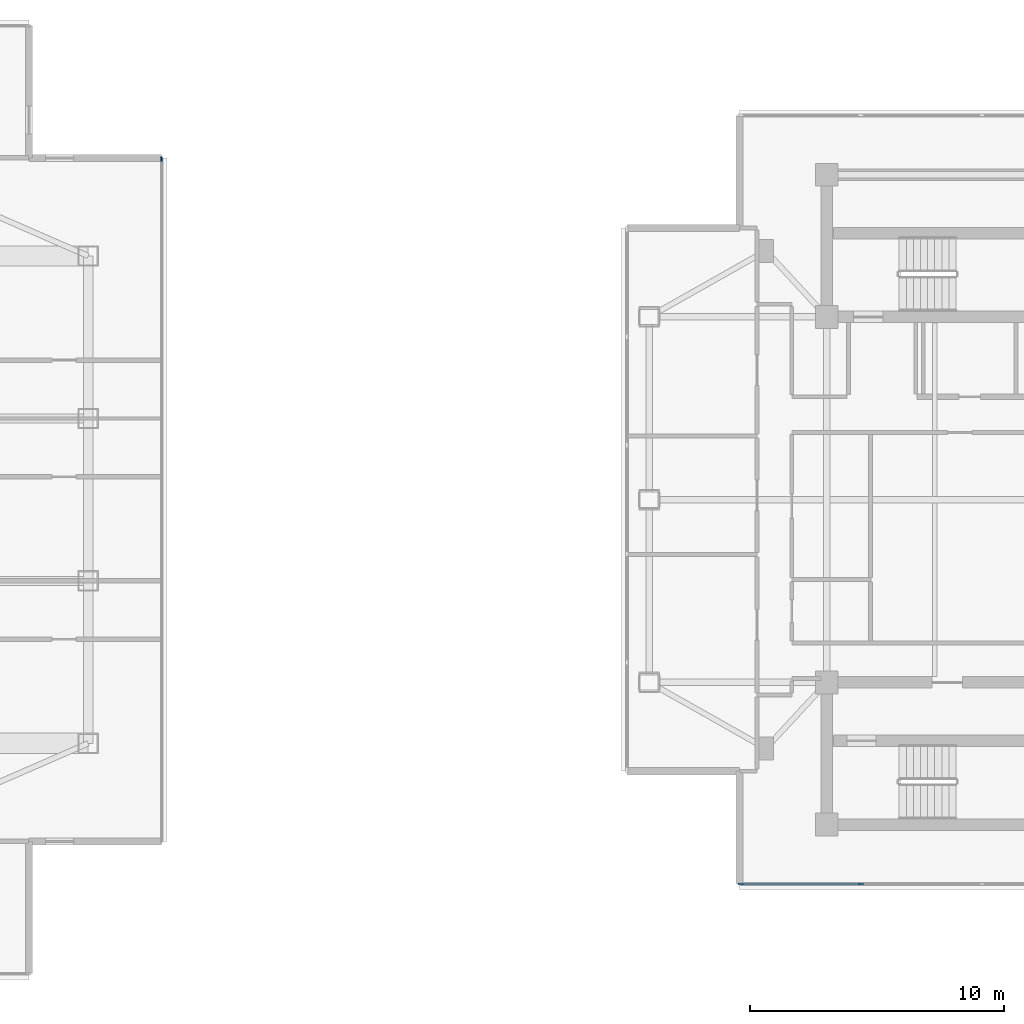
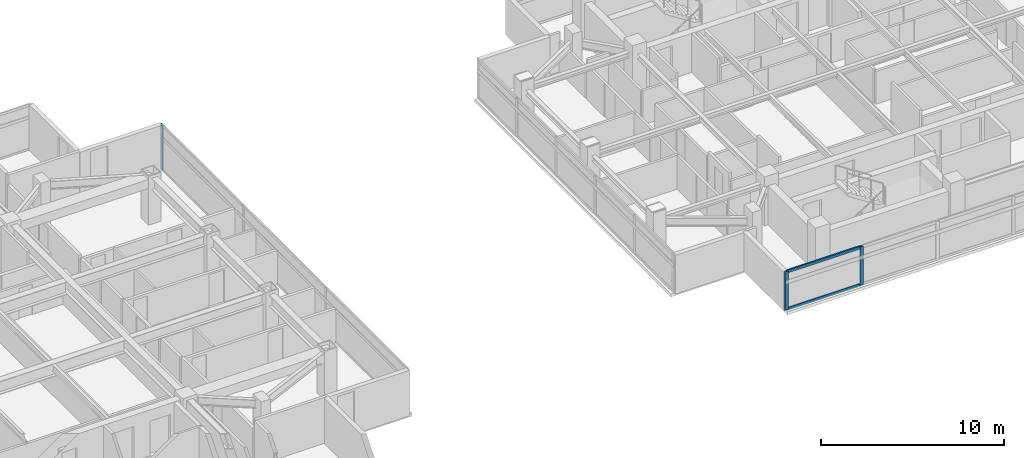
# One storey, part 7 of 21: 5 members, 2 elements without a shape of their own.
"""IFC4 building model written with IfcOpenShell, lengths in metres."""

import ifcopenshell
import ifcopenshell.guid

model = None  # the IFC model being written
_history = None  # IfcOwnerHistory: only IFC2X3 demands one
_inside = {}  # id of a spatial element -> (the spatial element, [elements in it])
_under = {}  # id of a project, library or spatial element -> (it, [spatial elements below it])
_declared = {}  # id of a project -> (the project, [libraries it declares])
_typed = {}  # id of a type object -> (the type object, [elements of that type])
_made_of = {}  # id of a material, layer set ... -> (it, [elements and type objects made of it])


def new_model(schema):
    """Start an empty IFC model of exactly this schema.

    Asked for "IFC4X3", IfcOpenShell would pick the latest addendum, in which some entities
    have other attributes; the version numbers below select the first issue.
    IFC2X3 requires an IfcOwnerHistory on every rooted entity: one is made here for all.
    """
    global model, _history
    if schema == "IFC4X3":
        model = ifcopenshell.file(schema_version=(4, 3, 0, 0))
    else:
        model = ifcopenshell.file(schema=schema)
    _inside.clear()
    _under.clear()
    _declared.clear()
    _typed.clear()
    _made_of.clear()
    _history = None
    if model.schema == "IFC2X3":
        org = make("IfcOrganization", Name="unknown")
        user = make(
            "IfcPersonAndOrganization",
            ThePerson=make("IfcPerson", FamilyName="unknown"),
            TheOrganization=org,
        )
        app = make(
            "IfcApplication",
            ApplicationDeveloper=org,
            Version="unknown",
            ApplicationFullName="unknown",
            ApplicationIdentifier="unknown",
        )
        _history = make(
            "IfcOwnerHistory",
            OwningUser=user,
            OwningApplication=app,
            ChangeAction="ADDED",
            CreationDate=0,
        )
    return model


def make(cls, **values):
    """One entity of the class cls with the attributes given. An attribute that is None is left unset."""
    return model.create_entity(
        cls, **{name: value for name, value in values.items() if value is not None}
    )


def rooted(cls, **values):
    """An entity with a GlobalId (a new one), such as an element, a storey or a relation."""
    return make(cls, GlobalId=ifcopenshell.guid.new(), OwnerHistory=_history, **values)


def si_unit(unit_type, name, prefix=None):
    """IfcSIUnit, for example si_unit("LENGTHUNIT", "METRE", prefix="MILLI")."""
    return make("IfcSIUnit", UnitType=unit_type, Prefix=prefix, Name=name)


def assignment(units):
    """IfcUnitAssignment: the units of a project."""
    return None if units is None else make("IfcUnitAssignment", Units=units)


def point(xyz):
    """IfcCartesianPoint."""
    return None if xyz is None else make("IfcCartesianPoint", Coordinates=xyz)


def direction(xyz):
    """IfcDirection."""
    return None if xyz is None else make("IfcDirection", DirectionRatios=xyz)


def frame(location, z_axis=None, x_axis=None):
    """IfcAxis2Placement3D, a coordinate frame: its origin and axes. An axis left out is left unset."""
    return make(
        "IfcAxis2Placement3D",
        Location=point(location),
        Axis=direction(z_axis),
        RefDirection=direction(x_axis),
    )


def frame_2d(location, x_axis=None):
    """IfcAxis2Placement2D, a coordinate frame in the plane: its origin and x axis."""
    return make(
        "IfcAxis2Placement2D", Location=point(location), RefDirection=direction(x_axis)
    )


def origin():
    """The frame at (0, 0, 0) with its axes left unset."""
    return frame((0.0, 0.0, 0.0))


def origin_2d():
    """The frame at (0, 0) in the plane with its x axis left unset."""
    return frame_2d((0.0, 0.0))


def place(relative_to, where):
    """IfcLocalPlacement: puts the frame where relative to a parent placement (None: the world)."""
    return make(
        "IfcLocalPlacement", PlacementRelTo=relative_to, RelativePlacement=where
    )


def context(
    kind, dimensions, precision=None, world=None, true_north=None, identifier=None
):
    """IfcGeometricRepresentationContext, for example the 3D "Model" context."""
    return make(
        "IfcGeometricRepresentationContext",
        ContextIdentifier=identifier,
        ContextType=kind,
        CoordinateSpaceDimension=dimensions,
        Precision=precision,
        WorldCoordinateSystem=world,
        TrueNorth=true_north,
    )


def subcontext(parent, identifier, kind, view, scale=None):
    """IfcGeometricRepresentationSubContext, for example "Body" below "Model"."""
    return make(
        "IfcGeometricRepresentationSubContext",
        ContextIdentifier=identifier,
        ContextType=kind,
        ParentContext=parent,
        TargetScale=scale,
        TargetView=view,
    )


def project(units=None, contexts=None):
    """IfcProject with its units and contexts."""
    return rooted(
        "IfcProject",
        Name="project",
        RepresentationContexts=contexts,
        UnitsInContext=assignment(units),
    )


def spatial(cls, under=None, at=None, **own):
    """A site, building, storey or space (cls), placed at a placement, below another one or the project."""
    s = rooted(cls, ObjectPlacement=at, **own)
    if under is not None:
        _under.setdefault(under.id(), (under, []))[1].append(s)
    return s


def profile(cls, at=None, kind="AREA", **sizes):
    """A parametric profile (cls). Its sizes go by their IFC names, for example OverallWidth=200.0."""
    return make(cls, ProfileType=kind, Position=at, **sizes)


def rectangle(**sizes):
    """IfcRectangleProfileDef."""
    return profile("IfcRectangleProfileDef", **sizes)


def extrude(swept, where, along, depth):
    """IfcExtrudedAreaSolid: the profile swept, set in the frame where, extruded along a direction by depth."""
    return make(
        "IfcExtrudedAreaSolid",
        SweptArea=swept,
        Position=where,
        ExtrudedDirection=direction(along),
        Depth=depth,
    )


def shape(context_of_items, identifier, shape_type, items):
    """IfcShapeRepresentation: the items that make up one representation, for example the "Body"."""
    return make(
        "IfcShapeRepresentation",
        ContextOfItems=context_of_items,
        RepresentationIdentifier=identifier,
        RepresentationType=shape_type,
        Items=items,
    )


def material(Name=None, Category=None):
    """IfcMaterial."""
    return make("IfcMaterial", Name=Name, Category=Category)


def material_profile(
    of_material, cross_section, Name=None, Category=None, Priority=None
):
    """IfcMaterialProfile: a cross section and its material."""
    return make(
        "IfcMaterialProfile",
        Name=Name,
        Material=of_material,
        Profile=cross_section,
        Priority=Priority,
        Category=Category,
    )


def profile_set(profiles, Name=None, composite=None):
    """IfcMaterialProfileSet."""
    return make(
        "IfcMaterialProfileSet",
        Name=Name,
        MaterialProfiles=profiles,
        CompositeProfile=composite,
    )


def made_of(thing, what):
    """Note that an element or type object is made of a material, layer set ...; save() writes the relation."""
    if what is not None:
        _made_of.setdefault(what.id(), (what, []))[1].append(thing)
    return thing


def type_object(cls, material=None, **own):
    """A type object (cls), such as IfcWallType, which elements share."""
    return made_of(rooted(cls, **own), material)


def element(
    cls,
    number,
    at=None,
    inside=None,
    cuts=None,
    type_object=None,
    material=None,
    context=None,
    identifier="Body",
    shape_type=None,
    held_by="IfcProductDefinitionShape",
    body=None,
    shapes=None,
    **own,
):
    """One element of the class cls, such as IfcWall. Its Tag is "e" and its number.

    at: its placement. inside: the storey or other place that contains it. cuts: it is an
    opening in that element (IfcRelVoidsElement). A single representation is given by context,
    identifier, shape_type and body (its items); several are given by shapes. held_by: the class
    of the entity that holds the representations. save() writes the other relations.
    """
    e = rooted(cls, Tag="e%d" % number, ObjectPlacement=at, **own)
    if body is not None:
        shapes = [shape(context, identifier, shape_type, body)]
    if shapes is not None:
        e.Representation = make(held_by, Representations=shapes)
    if inside is not None:
        _inside.setdefault(inside.id(), (inside, []))[1].append(e)
    if cuts is not None:
        rooted(
            "IfcRelVoidsElement", RelatingBuildingElement=cuts, RelatedOpeningElement=e
        )
    if type_object is not None:
        _typed.setdefault(type_object.id(), (type_object, []))[1].append(e)
    return made_of(e, material)


def aggregate(whole, parts):
    """IfcRelAggregates: a whole, such as a stair, and the parts it consists of."""
    return rooted("IfcRelAggregates", RelatingObject=whole, RelatedObjects=parts)


def save(model, path):
    """Write the relations noted so far, then the file.

    IfcRelAggregates (storeys below a building ...), IfcRelContainedInSpatialStructure (elements
    in a storey), IfcRelDefinesByType, IfcRelAssociatesMaterial and IfcRelDeclares: one each for
    every whole, place, type object, material and project.
    """
    for whole, parts in _under.values():
        aggregate(whole, parts)
    for where, things in _inside.values():
        rooted(
            "IfcRelContainedInSpatialStructure",
            RelatedElements=things,
            RelatingStructure=where,
        )
    for kind, things in _typed.values():
        rooted("IfcRelDefinesByType", RelatedObjects=things, RelatingType=kind)
    for what, things in _made_of.values():
        rooted("IfcRelAssociatesMaterial", RelatedObjects=things, RelatingMaterial=what)
    for by, libraries in _declared.values():
        rooted("IfcRelDeclares", RelatingContext=by, RelatedDefinitions=libraries)
    model.write(path)


model = new_model("IFC4")

# Units and contexts
model_context = context("Model", 3, precision=1e-05, world=origin(), true_north=direction((0.0, 1.0)))
body_context = subcontext(model_context, "Body", "Model", "MODEL_VIEW")
ifc_project = project(units=[si_unit("LENGTHUNIT", "METRE"), si_unit("AREAUNIT", "SQUARE_METRE"), si_unit("VOLUMEUNIT", "CUBIC_METRE"), si_unit("PLANEANGLEUNIT", "RADIAN"), si_unit("MASSUNIT", "GRAM", prefix="KILO")], contexts=[model_context])

# Site, building, storey
site_placement = place(None, origin())
site = spatial("IfcSite", under=ifc_project, at=site_placement, CompositionType="ELEMENT")
building_placement = place(site_placement, origin())
building = spatial("IfcBuilding", under=site, at=building_placement, Name="Mirazonda Arch Towers", CompositionType="ELEMENT")
storey_placement = place(building_placement, frame((0.0, 0.0, 206.39990234375)))
storey = spatial("IfcBuildingStorey", under=building, at=storey_placement, Name="L59", CompositionType="ELEMENT", Elevation=206.39990234375)

# Curtain wall, members
ifc_material_1 = material(Name="Anodised Aluminium and Low-E Glass", Category="aluminium")
curtain_wall_type_1 = type_object("IfcCurtainWallType", Name="CW-OBS-LANTERN", PredefinedType="NOTDEFINED", material=ifc_material_1)
curtain_wall_1_placement = place(storey_placement, origin())
curtain_wall_1 = element("IfcCurtainWall", 1, at=curtain_wall_1_placement, inside=storey, type_object=curtain_wall_type_1, Name="L59 T2 S Facade CW-L59-T2-S", PredefinedType="NOTDEFINED")
ifc_material_2 = material(Name="Anodised Aluminium Alloy", Category="aluminium")
ifc_material_profile_1 = material_profile(ifc_material_2, rectangle(XDim=0.090087890625, YDim=0.2099609375, at=origin_2d()), Name="ALU-MULL-90x210")
ifc_profile_set_1 = profile_set([ifc_material_profile_1], Name="Anodised Aluminium Alloy")
member_type_1 = type_object("IfcMemberType", Name="MULL-CW-OBS-LANTERN", PredefinedType="MULLION", material=ifc_profile_set_1)
member_1_placement = place(storey_placement, frame((69.33740234375, 12.861572265625, 0.0), z_axis=(0.0, 0.0, 1.0), x_axis=(0.0, -1.0, 0.0)))
member_1 = element("IfcMember", 2, at=member_1_placement, type_object=member_type_1, Name="CW-110 mullion 5", PredefinedType="MULLION", context=body_context, shape_type="SweptSolid", body=[
    extrude(rectangle(XDim=0.090087890625, YDim=0.2099609375, at=origin_2d()), origin(), (0.0, 0.0, 1.0), 2.580078125),
])
member_2_placement = place(storey_placement, frame((64.607177734375, 12.861572265625, 0.0), z_axis=(0.0, 0.0, 1.0), x_axis=(0.0, -1.0, 0.0)))
member_2 = element("IfcMember", 3, at=member_2_placement, type_object=member_type_1, Name="CW-110 mullion 6", PredefinedType="MULLION", context=body_context, shape_type="SweptSolid", body=[
    extrude(rectangle(XDim=0.090087890625, YDim=0.2099609375, at=origin_2d()), origin(), (0.0, 0.0, 1.0), 2.580078125),
])

# Curtain wall, member
curtain_wall_type_2 = type_object("IfcCurtainWallType", Name="CW-RES-UNIT", PredefinedType="NOTDEFINED", material=ifc_material_1)
curtain_wall_2_placement = place(storey_placement, origin())
curtain_wall_2 = element("IfcCurtainWall", 4, at=curtain_wall_2_placement, inside=storey, type_object=curtain_wall_type_2, Name="L59 T1 E Facade CW-L59-T1-E", PredefinedType="NOTDEFINED")
ifc_material_profile_2 = material_profile(ifc_material_2, rectangle(XDim=0.074951171875, YDim=0.175048828125, at=origin_2d()), Name="ALU-MULL-75x175")
ifc_profile_set_2 = profile_set([ifc_material_profile_2], Name="Anodised Aluminium Alloy")
member_type_2 = type_object("IfcMemberType", Name="MULL-CW-RES-UNIT", PredefinedType="MULLION", material=ifc_profile_set_2)
member_3_placement = place(storey_placement, frame((41.7900390625, 41.423583984375, 0.0), z_axis=(0.0, 0.0, 1.0), x_axis=(-1.0, 0.0, 0.0)))
member_3 = element("IfcMember", 5, at=member_3_placement, type_object=member_type_2, Name="CW-104 mullion 4", PredefinedType="MULLION", context=body_context, shape_type="SweptSolid", body=[
    extrude(rectangle(XDim=0.074951171875, YDim=0.175048828125, at=origin_2d()), origin(), (0.0, 0.0, 1.0), 3.030029296875),
])
aggregate(curtain_wall_2, [member_3])

# Member
ifc_material_profile_3 = material_profile(ifc_material_2, rectangle(XDim=0.090087890625, YDim=0.18994140625, at=origin_2d()), Name="ALU-TRAN-90x190")
ifc_profile_set_3 = profile_set([ifc_material_profile_3], Name="Anodised Aluminium Alloy")
member_type_3 = type_object("IfcMemberType", Name="TRAN-CW-OBS-LANTERN", PredefinedType="USERDEFINED", material=ifc_profile_set_3)
member_4_placement = place(storey_placement, frame((69.292236328125, 12.861572265625, 0.045166015625), z_axis=(-1.0, 0.0, 0.0), x_axis=(0.0, -1.0, 0.0)))
member_4 = element("IfcMember", 6, at=member_4_placement, type_object=member_type_3, Name="CW-110 transom 5.1", ObjectType="TRANSOM", PredefinedType="USERDEFINED", context=body_context, shape_type="SweptSolid", body=[
    extrude(rectangle(XDim=0.090087890625, YDim=0.18994140625, at=origin_2d()), origin(), (0.0, 0.0, 1.0), 4.64013671875),
])

member_5_placement = place(storey_placement, frame((69.292236328125, 12.861572265625, 2.53515625), z_axis=(-1.0, 0.0, 0.0), x_axis=(0.0, -1.0, 0.0)))
member_5 = element("IfcMember", 7, at=member_5_placement, type_object=member_type_3, Name="CW-110 transom 5.2", ObjectType="TRANSOM", PredefinedType="USERDEFINED", context=body_context, shape_type="SweptSolid", body=[
    extrude(rectangle(XDim=0.090087890625, YDim=0.18994140625, at=origin_2d()), origin(), (0.0, 0.0, 1.0), 4.64013671875),
])

aggregate(curtain_wall_1, [member_1, member_2, member_4, member_5])

save(model, "model.ifc")
